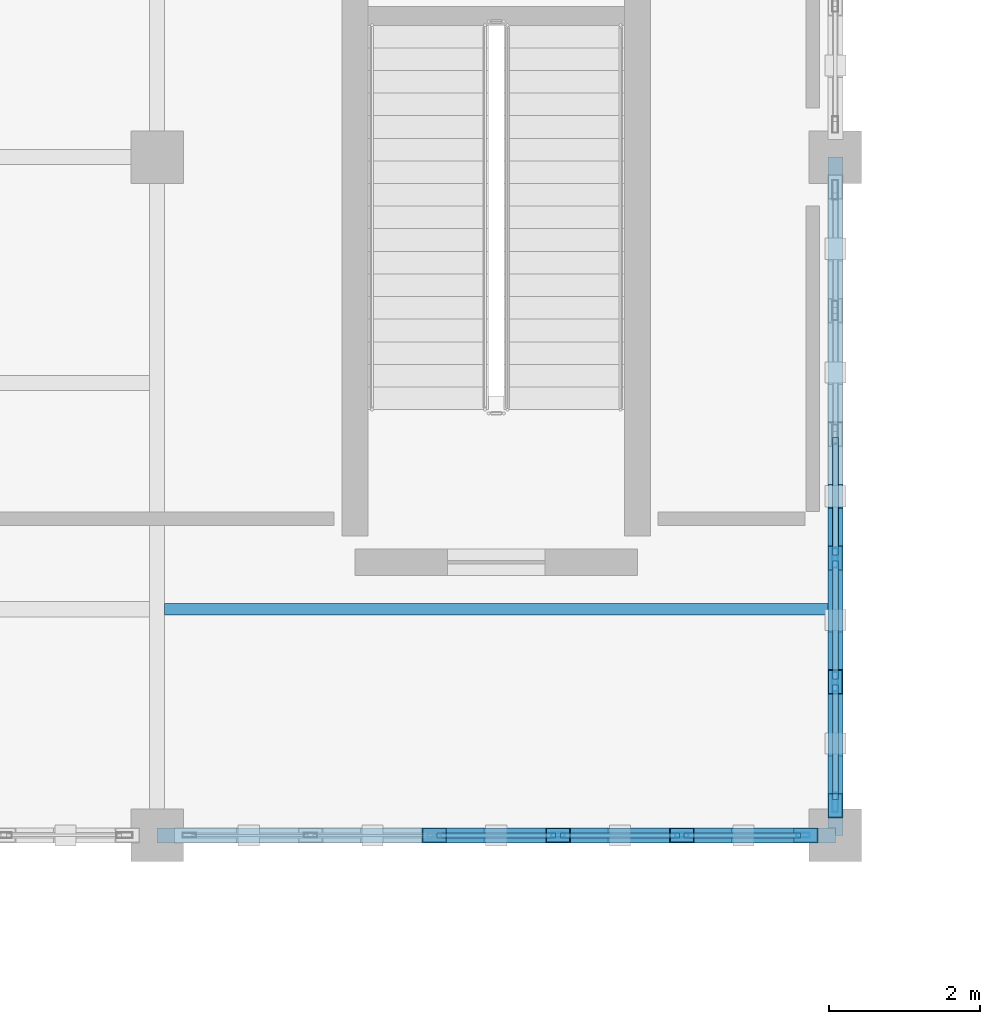
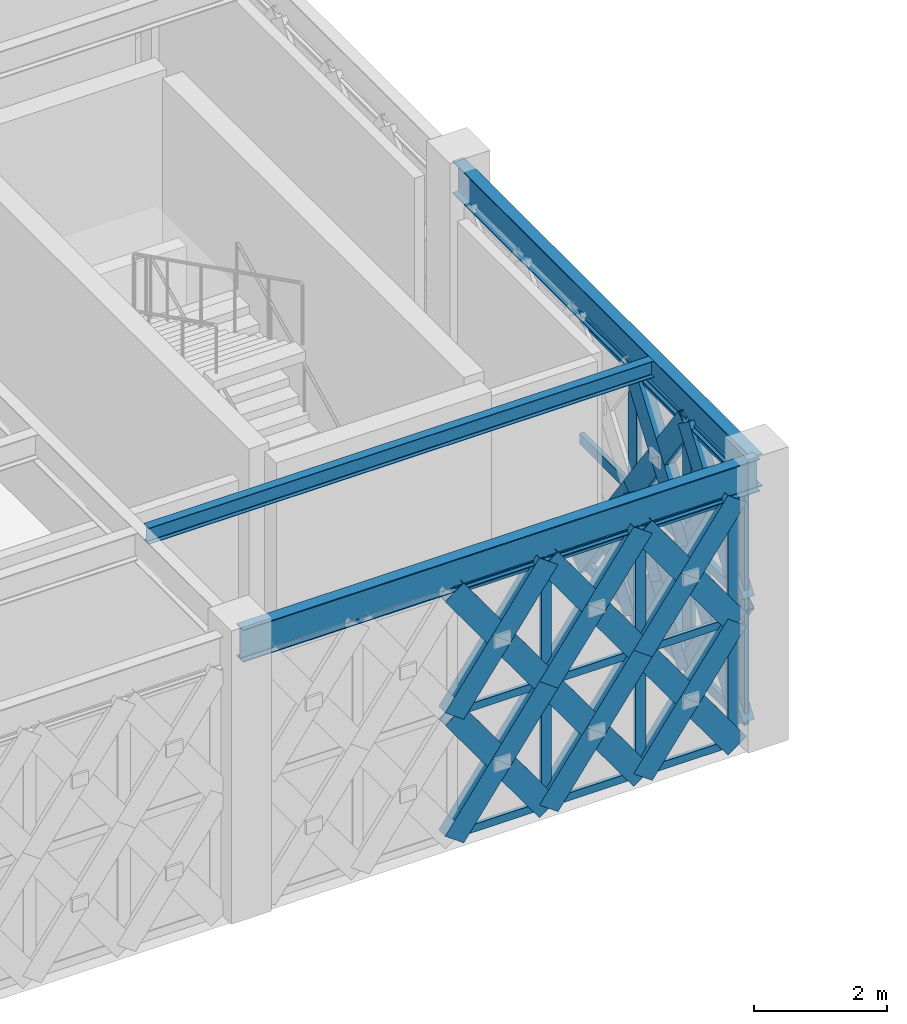
# One storey, part 11 of 72: 56 members, 3 beams, 2 elements without a shape of their own.
"""IFC4 building model written with IfcOpenShell, lengths in metres."""

from ifc_helpers import new_model, si_unit, direction, frame, origin, origin_2d, place, context, subcontext, project, spatial, hollow_rectangle, i_section, extrude, material, material_profile, profile_set, type_object, element, aggregate, save


model = new_model("IFC4")

# Units and contexts
model_context = context("Model", 3, precision=1e-05, world=origin(), true_north=direction((0.0, 1.0)))
body_context = subcontext(model_context, "Body", "Model", "MODEL_VIEW")
ifc_project = project(units=[si_unit("LENGTHUNIT", "METRE"), si_unit("AREAUNIT", "SQUARE_METRE"), si_unit("VOLUMEUNIT", "CUBIC_METRE"), si_unit("PLANEANGLEUNIT", "RADIAN"), si_unit("MASSUNIT", "GRAM", prefix="KILO")], contexts=[model_context])

# Site, building, storey
site_placement = place(None, origin())
site = spatial("IfcSite", under=ifc_project, at=site_placement, CompositionType="ELEMENT")
building_placement = place(site_placement, origin())
building = spatial("IfcBuilding", under=site, at=building_placement, Name="Haizhuo Lancet Aquarium", CompositionType="ELEMENT")
storey_placement = place(building_placement, frame((0.0, 0.0, 21.60009765625)))
storey = spatial("IfcBuildingStorey", under=building, at=storey_placement, Name="L04", CompositionType="ELEMENT", Elevation=21.60009765625)

# Beams
ifc_material_1 = material(Name="Steel S355", Category="steel")
ifc_material_profile_1 = material_profile(ifc_material_1, i_section(OverallWidth=0.199951171875, OverallDepth=0.60009765625, WebThickness=0.010986328125, FlangeThickness=0.01708984375, FilletRadius=0.02197265625, at=origin_2d()), Name="HN 600x200x11x17")
ifc_profile_set_1 = profile_set([ifc_material_profile_1], Name="Steel S355")
beam_type_1 = type_object("IfcBeamType", Name="BM-ST-HN600", PredefinedType="BEAM", material=ifc_profile_set_1)
for number, where, z_axis, x_axis, name in (
    (1, (-45.0, -27.0, 4.849853515625), (1.0, 0.0, 0.0), (0.0, 1.0, 0.0), "L04 V6 primary girder BM-L04-V6-020"),
    (2, (-36.0, -27.0, 4.849853515625), (0.0, 1.0, 0.0), (-1.0, 0.0, 0.0), "L04 V6 primary girder BM-L04-V6-023"),
):
    element("IfcBeam", number, at=place(storey_placement, frame(where, z_axis=z_axis, x_axis=x_axis)), inside=storey, type_object=beam_type_1, Name=name, PredefinedType="BEAM", context=body_context, shape_type="SweptSolid", body=[
        extrude(i_section(OverallWidth=0.199951171875, OverallDepth=0.60009765625, WebThickness=0.010986328125, FlangeThickness=0.01708984375, FilletRadius=0.02197265625, at=origin_2d()), origin(), (0.0, 0.0, 1.0), 9.0),
    ])

# Curtain wall, members
ifc_material_2 = material(Name="Aluminium 6063-T6", Category="aluminium")
curtain_wall_type = type_object("IfcCurtainWallType", Name="CWD-8210x4550", PredefinedType="NOTDEFINED", material=ifc_material_2)
curtain_wall_1_placement = place(storey_placement, origin())
curtain_wall_1 = element("IfcCurtainWall", 3, at=curtain_wall_1_placement, inside=storey, type_object=curtain_wall_type, Name="L04 curtain wall CW-V6-L04-253", PredefinedType="NOTDEFINED")
ifc_material_profile_2 = material_profile(ifc_material_2, hollow_rectangle(XDim=0.06494140625, YDim=0.179931640625, WallThickness=0.00390625, at=origin_2d()), Name="ALU-M 65x180x4")
ifc_profile_set_2 = profile_set([ifc_material_profile_2], Name="Aluminium 6063-T6")
member_type_1 = type_object("IfcMemberType", Name="CW-MUL-1", PredefinedType="MULLION", material=ifc_profile_set_2)
member_1_placement = place(storey_placement, frame((-36.427978515625, -27.0, 0.0), z_axis=(0.0, 0.0, 1.0), x_axis=(0.0, -1.0, 0.0)))
member_1 = element("IfcMember", 4, at=member_1_placement, type_object=member_type_1, Name="CWD-82x45 mullion 1", PredefinedType="MULLION", context=body_context, shape_type="SweptSolid", body=[
    extrude(hollow_rectangle(XDim=0.06494140625, YDim=0.179931640625, WallThickness=0.00390625, at=origin_2d()), origin(), (0.0, 0.0, 1.0), 4.5498046875),
])
member_2_placement = place(storey_placement, frame((-38.037109375, -27.0, 0.0), z_axis=(0.0, 0.0, 1.0), x_axis=(0.0, -1.0, 0.0)))
member_2 = element("IfcMember", 5, at=member_2_placement, type_object=member_type_1, Name="CWD-82x45 mullion 2", PredefinedType="MULLION", context=body_context, shape_type="SweptSolid", body=[
    extrude(hollow_rectangle(XDim=0.06494140625, YDim=0.179931640625, WallThickness=0.00390625, at=origin_2d()), origin(), (0.0, 0.0, 1.0), 4.5498046875),
])
member_3_placement = place(storey_placement, frame((-39.678955078125, -27.0, 0.0), z_axis=(0.0, 0.0, 1.0), x_axis=(0.0, -1.0, 0.0)))
member_3 = element("IfcMember", 6, at=member_3_placement, type_object=member_type_1, Name="CWD-82x45 mullion 3", PredefinedType="MULLION", context=body_context, shape_type="SweptSolid", body=[
    extrude(hollow_rectangle(XDim=0.06494140625, YDim=0.179931640625, WallThickness=0.00390625, at=origin_2d()), origin(), (0.0, 0.0, 1.0), 4.5498046875),
])

curtain_wall_2_placement = place(storey_placement, origin())
curtain_wall_2 = element("IfcCurtainWall", 7, at=curtain_wall_2_placement, inside=storey, type_object=curtain_wall_type, Name="L04 curtain wall CW-V6-L04-252", PredefinedType="NOTDEFINED")
ifc_material_profile_3 = material_profile(ifc_material_2, hollow_rectangle(XDim=0.080078125, YDim=0.260009765625, WallThickness=0.0048828125, at=origin_2d()), Name="ALU-M 80x260x5")
ifc_profile_set_3 = profile_set([ifc_material_profile_3], Name="Aluminium 6063-T6")
member_type_2 = type_object("IfcMemberType", Name="CW-MUL-3", PredefinedType="MULLION", material=ifc_profile_set_3)
member_4_placement = place(storey_placement, frame((-36.0, -23.321044921875, 0.0), z_axis=(0.0, 0.0, 1.0), x_axis=(1.0, 0.0, 0.0)))
member_4 = element("IfcMember", 8, at=member_4_placement, type_object=member_type_2, Name="CWD-82x45 mullion 4", PredefinedType="MULLION", context=body_context, shape_type="SweptSolid", body=[
    extrude(hollow_rectangle(XDim=0.080078125, YDim=0.260009765625, WallThickness=0.0048828125, at=origin_2d()), origin(), (0.0, 0.0, 1.0), 4.5498046875),
])
member_5_placement = place(storey_placement, frame((-36.0, -24.962890625, 0.0), z_axis=(0.0, 0.0, 1.0), x_axis=(1.0, 0.0, 0.0)))
member_5 = element("IfcMember", 9, at=member_5_placement, type_object=member_type_2, Name="CWD-82x45 mullion 5", PredefinedType="MULLION", context=body_context, shape_type="SweptSolid", body=[
    extrude(hollow_rectangle(XDim=0.080078125, YDim=0.260009765625, WallThickness=0.0048828125, at=origin_2d()), origin(), (0.0, 0.0, 1.0), 4.5498046875),
])
member_6_placement = place(storey_placement, frame((-36.0, -26.56494140625, 0.0), z_axis=(0.0, 0.0, 1.0), x_axis=(1.0, 0.0, 0.0)))
member_6 = element("IfcMember", 10, at=member_6_placement, type_object=member_type_2, Name="CWD-82x45 mullion 6", PredefinedType="MULLION", context=body_context, shape_type="SweptSolid", body=[
    extrude(hollow_rectangle(XDim=0.080078125, YDim=0.260009765625, WallThickness=0.0048828125, at=origin_2d()), origin(), (0.0, 0.0, 1.0), 4.5498046875),
])

# Member
ifc_material_profile_4 = material_profile(ifc_material_2, hollow_rectangle(XDim=0.06494140625, YDim=0.139892578125, WallThickness=0.00390625, at=origin_2d()), Name="ALU-T 65x140x4")
ifc_profile_set_4 = profile_set([ifc_material_profile_4], Name="Aluminium 6063-T6")
member_type_3 = type_object("IfcMemberType", Name="CW-TRN-1", PredefinedType="NOTDEFINED", material=ifc_profile_set_4)
member_7_placement = place(storey_placement, frame((-36.4599609375, -27.0, 0.032958984375), z_axis=(-1.0, 0.0, 0.0), x_axis=(0.0, -1.0, 0.0)))
member_7 = element("IfcMember", 11, at=member_7_placement, type_object=member_type_3, Name="CWD-82x45 transom 1.1", ObjectType="TRANSOM", PredefinedType="USERDEFINED", context=body_context, shape_type="SweptSolid", body=[
    extrude(hollow_rectangle(XDim=0.06494140625, YDim=0.139892578125, WallThickness=0.00390625, at=origin_2d()), origin(), (0.0, 0.0, 1.0), 1.544921875),
])

member_8_placement = place(storey_placement, frame((-36.4599609375, -27.0, 2.27490234375), z_axis=(-1.0, 0.0, 0.0), x_axis=(0.0, -1.0, 0.0)))
member_8 = element("IfcMember", 12, at=member_8_placement, type_object=member_type_3, Name="CWD-82x45 transom 1.2", ObjectType="TRANSOM", PredefinedType="USERDEFINED", context=body_context, shape_type="SweptSolid", body=[
    extrude(hollow_rectangle(XDim=0.06494140625, YDim=0.139892578125, WallThickness=0.00390625, at=origin_2d()), origin(), (0.0, 0.0, 1.0), 1.544921875),
])

member_9_placement = place(storey_placement, frame((-36.4599609375, -27.0, 4.516845703125), z_axis=(-1.0, 0.0, 0.0), x_axis=(0.0, -1.0, 0.0)))
member_9 = element("IfcMember", 13, at=member_9_placement, type_object=member_type_3, Name="CWD-82x45 transom 1.3", ObjectType="TRANSOM", PredefinedType="USERDEFINED", context=body_context, shape_type="SweptSolid", body=[
    extrude(hollow_rectangle(XDim=0.06494140625, YDim=0.139892578125, WallThickness=0.00390625, at=origin_2d()), origin(), (0.0, 0.0, 1.0), 1.544921875),
])

member_10_placement = place(storey_placement, frame((-38.070068359375, -27.0, 0.032958984375), z_axis=(-1.0, 0.0, 0.0), x_axis=(0.0, -1.0, 0.0)))
member_10 = element("IfcMember", 14, at=member_10_placement, type_object=member_type_3, Name="CWD-82x45 transom 2.1", ObjectType="TRANSOM", PredefinedType="USERDEFINED", context=body_context, shape_type="SweptSolid", body=[
    extrude(hollow_rectangle(XDim=0.06494140625, YDim=0.139892578125, WallThickness=0.00390625, at=origin_2d()), origin(), (0.0, 0.0, 1.0), 1.576904296875),
])

member_11_placement = place(storey_placement, frame((-38.070068359375, -27.0, 2.27490234375), z_axis=(-1.0, 0.0, 0.0), x_axis=(0.0, -1.0, 0.0)))
member_11 = element("IfcMember", 15, at=member_11_placement, type_object=member_type_3, Name="CWD-82x45 transom 2.2", ObjectType="TRANSOM", PredefinedType="USERDEFINED", context=body_context, shape_type="SweptSolid", body=[
    extrude(hollow_rectangle(XDim=0.06494140625, YDim=0.139892578125, WallThickness=0.00390625, at=origin_2d()), origin(), (0.0, 0.0, 1.0), 1.576904296875),
])

member_12_placement = place(storey_placement, frame((-38.070068359375, -27.0, 4.516845703125), z_axis=(-1.0, 0.0, 0.0), x_axis=(0.0, -1.0, 0.0)))
member_12 = element("IfcMember", 16, at=member_12_placement, type_object=member_type_3, Name="CWD-82x45 transom 2.3", ObjectType="TRANSOM", PredefinedType="USERDEFINED", context=body_context, shape_type="SweptSolid", body=[
    extrude(hollow_rectangle(XDim=0.06494140625, YDim=0.139892578125, WallThickness=0.00390625, at=origin_2d()), origin(), (0.0, 0.0, 1.0), 1.576904296875),
])

member_13_placement = place(storey_placement, frame((-39.7119140625, -27.0, 0.032958984375), z_axis=(-1.0, 0.0, 0.0), x_axis=(0.0, -1.0, 0.0)))
member_13 = element("IfcMember", 17, at=member_13_placement, type_object=member_type_3, Name="CWD-82x45 transom 3.1", ObjectType="TRANSOM", PredefinedType="USERDEFINED", context=body_context, shape_type="SweptSolid", body=[
    extrude(hollow_rectangle(XDim=0.06494140625, YDim=0.139892578125, WallThickness=0.00390625, at=origin_2d()), origin(), (0.0, 0.0, 1.0), 1.576171875),
])

member_14_placement = place(storey_placement, frame((-39.7119140625, -27.0, 2.27490234375), z_axis=(-1.0, 0.0, 0.0), x_axis=(0.0, -1.0, 0.0)))
member_14 = element("IfcMember", 18, at=member_14_placement, type_object=member_type_3, Name="CWD-82x45 transom 3.2", ObjectType="TRANSOM", PredefinedType="USERDEFINED", context=body_context, shape_type="SweptSolid", body=[
    extrude(hollow_rectangle(XDim=0.06494140625, YDim=0.139892578125, WallThickness=0.00390625, at=origin_2d()), origin(), (0.0, 0.0, 1.0), 1.576171875),
])

member_15_placement = place(storey_placement, frame((-39.7119140625, -27.0, 4.516845703125), z_axis=(-1.0, 0.0, 0.0), x_axis=(0.0, -1.0, 0.0)))
member_15 = element("IfcMember", 19, at=member_15_placement, type_object=member_type_3, Name="CWD-82x45 transom 3.3", ObjectType="TRANSOM", PredefinedType="USERDEFINED", context=body_context, shape_type="SweptSolid", body=[
    extrude(hollow_rectangle(XDim=0.06494140625, YDim=0.139892578125, WallThickness=0.00390625, at=origin_2d()), origin(), (0.0, 0.0, 1.0), 1.576171875),
])

aggregate(curtain_wall_1, [member_1, member_2, member_3, member_7, member_8, member_9, member_10, member_11, member_12, member_13, member_14, member_15])

ifc_material_profile_5 = material_profile(ifc_material_2, hollow_rectangle(XDim=0.080078125, YDim=0.18994140625, WallThickness=0.0048828125, at=origin_2d()), Name="ALU-T 80x190x5")
ifc_profile_set_5 = profile_set([ifc_material_profile_5], Name="Aluminium 6063-T6")
member_type_4 = type_object("IfcMemberType", Name="CW-TRN-3", PredefinedType="NOTDEFINED", material=ifc_profile_set_5)
member_16_placement = place(storey_placement, frame((-36.0, -21.718994140625, 0.039794921875), z_axis=(0.0, -1.0, 0.0), x_axis=(1.0, 0.0, 0.0)))
member_16 = element("IfcMember", 20, at=member_16_placement, type_object=member_type_4, Name="CWD-82x45 transom 3.1", ObjectType="TRANSOM", PredefinedType="USERDEFINED", context=body_context, shape_type="SweptSolid", body=[
    extrude(hollow_rectangle(XDim=0.080078125, YDim=0.18994140625, WallThickness=0.0048828125, at=origin_2d()), origin(), (0.0, 0.0, 1.0), 1.56201171875),
])

member_17_placement = place(storey_placement, frame((-36.0, -21.718994140625, 2.27490234375), z_axis=(0.0, -1.0, 0.0), x_axis=(1.0, 0.0, 0.0)))
member_17 = element("IfcMember", 21, at=member_17_placement, type_object=member_type_4, Name="CWD-82x45 transom 3.2", ObjectType="TRANSOM", PredefinedType="USERDEFINED", context=body_context, shape_type="SweptSolid", body=[
    extrude(hollow_rectangle(XDim=0.080078125, YDim=0.18994140625, WallThickness=0.0048828125, at=origin_2d()), origin(), (0.0, 0.0, 1.0), 1.56201171875),
])

member_18_placement = place(storey_placement, frame((-36.0, -21.718994140625, 4.510009765625), z_axis=(0.0, -1.0, 0.0), x_axis=(1.0, 0.0, 0.0)))
member_18 = element("IfcMember", 22, at=member_18_placement, type_object=member_type_4, Name="CWD-82x45 transom 3.3", ObjectType="TRANSOM", PredefinedType="USERDEFINED", context=body_context, shape_type="SweptSolid", body=[
    extrude(hollow_rectangle(XDim=0.080078125, YDim=0.18994140625, WallThickness=0.0048828125, at=origin_2d()), origin(), (0.0, 0.0, 1.0), 1.56201171875),
])

member_19_placement = place(storey_placement, frame((-36.0, -23.361083984375, 0.039794921875), z_axis=(0.0, -1.0, 0.0), x_axis=(1.0, 0.0, 0.0)))
member_19 = element("IfcMember", 23, at=member_19_placement, type_object=member_type_4, Name="CWD-82x45 transom 4.1", ObjectType="TRANSOM", PredefinedType="USERDEFINED", context=body_context, shape_type="SweptSolid", body=[
    extrude(hollow_rectangle(XDim=0.080078125, YDim=0.18994140625, WallThickness=0.0048828125, at=origin_2d()), origin(), (0.0, 0.0, 1.0), 1.56201171875),
])

member_20_placement = place(storey_placement, frame((-36.0, -23.361083984375, 2.27490234375), z_axis=(0.0, -1.0, 0.0), x_axis=(1.0, 0.0, 0.0)))
member_20 = element("IfcMember", 24, at=member_20_placement, type_object=member_type_4, Name="CWD-82x45 transom 4.2", ObjectType="TRANSOM", PredefinedType="USERDEFINED", context=body_context, shape_type="SweptSolid", body=[
    extrude(hollow_rectangle(XDim=0.080078125, YDim=0.18994140625, WallThickness=0.0048828125, at=origin_2d()), origin(), (0.0, 0.0, 1.0), 1.56201171875),
])

member_21_placement = place(storey_placement, frame((-36.0, -23.361083984375, 4.510009765625), z_axis=(0.0, -1.0, 0.0), x_axis=(1.0, 0.0, 0.0)))
member_21 = element("IfcMember", 25, at=member_21_placement, type_object=member_type_4, Name="CWD-82x45 transom 4.3", ObjectType="TRANSOM", PredefinedType="USERDEFINED", context=body_context, shape_type="SweptSolid", body=[
    extrude(hollow_rectangle(XDim=0.080078125, YDim=0.18994140625, WallThickness=0.0048828125, at=origin_2d()), origin(), (0.0, 0.0, 1.0), 1.56201171875),
])

member_22_placement = place(storey_placement, frame((-36.0, -25.0029296875, 0.039794921875), z_axis=(0.0, -1.0, 0.0), x_axis=(1.0, 0.0, 0.0)))
member_22 = element("IfcMember", 26, at=member_22_placement, type_object=member_type_4, Name="CWD-82x45 transom 5.1", ObjectType="TRANSOM", PredefinedType="USERDEFINED", context=body_context, shape_type="SweptSolid", body=[
    extrude(hollow_rectangle(XDim=0.080078125, YDim=0.18994140625, WallThickness=0.0048828125, at=origin_2d()), origin(), (0.0, 0.0, 1.0), 1.52197265625),
])

member_23_placement = place(storey_placement, frame((-36.0, -25.0029296875, 2.27490234375), z_axis=(0.0, -1.0, 0.0), x_axis=(1.0, 0.0, 0.0)))
member_23 = element("IfcMember", 27, at=member_23_placement, type_object=member_type_4, Name="CWD-82x45 transom 5.2", ObjectType="TRANSOM", PredefinedType="USERDEFINED", context=body_context, shape_type="SweptSolid", body=[
    extrude(hollow_rectangle(XDim=0.080078125, YDim=0.18994140625, WallThickness=0.0048828125, at=origin_2d()), origin(), (0.0, 0.0, 1.0), 1.52197265625),
])

member_24_placement = place(storey_placement, frame((-36.0, -25.0029296875, 4.510009765625), z_axis=(0.0, -1.0, 0.0), x_axis=(1.0, 0.0, 0.0)))
member_24 = element("IfcMember", 28, at=member_24_placement, type_object=member_type_4, Name="CWD-82x45 transom 5.3", ObjectType="TRANSOM", PredefinedType="USERDEFINED", context=body_context, shape_type="SweptSolid", body=[
    extrude(hollow_rectangle(XDim=0.080078125, YDim=0.18994140625, WallThickness=0.0048828125, at=origin_2d()), origin(), (0.0, 0.0, 1.0), 1.52197265625),
])

aggregate(curtain_wall_2, [member_4, member_5, member_6, member_16, member_17, member_18, member_19, member_20, member_21, member_22, member_23, member_24])

# Beam
ifc_material_profile_6 = material_profile(ifc_material_1, i_section(OverallWidth=0.14990234375, OverallDepth=0.300048828125, WebThickness=0.006591796875, FlangeThickness=0.009033203125, FilletRadius=0.012939453125, at=origin_2d()), Name="HN 300x150x6.5x9")
ifc_profile_set_6 = profile_set([ifc_material_profile_6], Name="Steel S355")
beam_type_2 = type_object("IfcBeamType", Name="JST-ST-HN300", PredefinedType="JOIST", material=ifc_profile_set_6)
beam_placement = place(storey_placement, frame((-44.89990234375, -24.0, 5.0), z_axis=(1.0, 0.0, 0.0), x_axis=(0.0, 1.0, 0.0)))
element("IfcBeam", 29, at=beam_placement, inside=storey, type_object=beam_type_2, Name="L04 V6 secondary floor joist 14", PredefinedType="JOIST", context=body_context, shape_type="SweptSolid", body=[
    extrude(i_section(OverallWidth=0.14990234375, OverallDepth=0.300048828125, WebThickness=0.006591796875, FlangeThickness=0.009033203125, FilletRadius=0.012939453125, at=origin_2d()), origin(), (0.0, 0.0, 1.0), 8.7998046875),
])

# Members
ifc_material_profile_7 = material_profile(ifc_material_1, hollow_rectangle(XDim=0.199951171875, YDim=0.39990234375, WallThickness=0.011962890625, at=origin_2d()), Name="RHS 200x400x12")
ifc_profile_set_7 = profile_set([ifc_material_profile_7], Name="Steel S355")
member_type_5 = type_object("IfcMemberType", Name="MEM-LB-RHS200x400", PredefinedType="BRACE", material=ifc_profile_set_7)
member_25_placement = place(storey_placement, frame((-36.0, -21.678955078125, 0.0), z_axis=(0.0, -0.585280844621, 0.810830643797), x_axis=(1.0, 0.0, 0.0)))
element("IfcMember", 30, at=member_25_placement, inside=storey, type_object=member_type_5, Name="Gothic lancet continuous diagonal brace CW-V6-L04-252 5A", PredefinedType="BRACE", context=body_context, shape_type="SweptSolid", body=[
    extrude(hollow_rectangle(XDim=0.199951171875, YDim=0.39990234375, WallThickness=0.011962890625, at=origin_2d()), origin(), (0.0, 0.0, 1.0), 2.8056640625),
])
member_26_placement = place(storey_placement, frame((-36.0, -23.321044921875, 0.0), z_axis=(0.0, 0.585115697402, 0.810949826224), x_axis=(-1.0, 0.0, 0.0)))
element("IfcMember", 31, at=member_26_placement, inside=storey, type_object=member_type_5, Name="Gothic lancet split diagonal brace CW-V6-L04-252 5B1", PredefinedType="BRACE", context=body_context, shape_type="SweptSolid", body=[
    extrude(hollow_rectangle(XDim=0.199951171875, YDim=0.39990234375, WallThickness=0.011962890625, at=origin_2d()), origin(), (0.0, 0.0, 1.0), 1.4033203125),
])
member_27_placement = place(storey_placement, frame((-36.0, -23.321044921875, 0.0), z_axis=(0.0, -0.585223630803, 0.810871939304), x_axis=(1.0, 0.0, 0.0)))
element("IfcMember", 32, at=member_27_placement, inside=storey, type_object=member_type_5, Name="Gothic lancet continuous diagonal brace CW-V6-L04-252 7A", PredefinedType="BRACE", context=body_context, shape_type="SweptSolid", body=[
    extrude(hollow_rectangle(XDim=0.199951171875, YDim=0.39990234375, WallThickness=0.011962890625, at=origin_2d()), origin(), (0.0, 0.0, 1.0), 2.805419921875),
])
member_28_placement = place(storey_placement, frame((-36.0, -24.962890625, 0.0), z_axis=(0.0, 0.585001259689, 0.81103238293), x_axis=(-1.0, 0.0, 0.0)))
element("IfcMember", 33, at=member_28_placement, inside=storey, type_object=member_type_5, Name="Gothic lancet split diagonal brace CW-V6-L04-252 7B1", PredefinedType="BRACE", context=body_context, shape_type="SweptSolid", body=[
    extrude(hollow_rectangle(XDim=0.199951171875, YDim=0.39990234375, WallThickness=0.011962890625, at=origin_2d()), origin(), (0.0, 0.0, 1.0), 1.403076171875),
])
member_29_placement = place(storey_placement, frame((-36.0, -24.14208984375, 1.137939453125), z_axis=(0.0, 0.585446060787, 0.810711360417), x_axis=(-1.0, 0.0, 0.0)))
element("IfcMember", 34, at=member_29_placement, inside=storey, type_object=member_type_5, Name="Gothic lancet split diagonal brace CW-V6-L04-252 7B2", PredefinedType="BRACE", context=body_context, shape_type="SweptSolid", body=[
    extrude(hollow_rectangle(XDim=0.199951171875, YDim=0.39990234375, WallThickness=0.011962890625, at=origin_2d()), origin(), (0.0, 0.0, 1.0), 1.40234375),
])
member_30_placement = place(storey_placement, frame((-36.0, -23.321044921875, 2.27490234375), z_axis=(0.0, -0.585223630803, 0.810871939304), x_axis=(1.0, 0.0, 0.0)))
element("IfcMember", 35, at=member_30_placement, inside=storey, type_object=member_type_5, Name="Gothic lancet continuous diagonal brace CW-V6-L04-252 8A", PredefinedType="BRACE", context=body_context, shape_type="SweptSolid", body=[
    extrude(hollow_rectangle(XDim=0.199951171875, YDim=0.39990234375, WallThickness=0.011962890625, at=origin_2d()), origin(), (0.0, 0.0, 1.0), 2.805419921875),
])
member_31_placement = place(storey_placement, frame((-36.0, -24.962890625, 2.27490234375), z_axis=(0.0, 0.585331625772, 0.810793986085), x_axis=(-1.0, 0.0, 0.0)))
element("IfcMember", 36, at=member_31_placement, inside=storey, type_object=member_type_5, Name="Gothic lancet split diagonal brace CW-V6-L04-252 8B1", PredefinedType="BRACE", context=body_context, shape_type="SweptSolid", body=[
    extrude(hollow_rectangle(XDim=0.199951171875, YDim=0.39990234375, WallThickness=0.011962890625, at=origin_2d()), origin(), (0.0, 0.0, 1.0), 1.40234375),
])
member_32_placement = place(storey_placement, frame((-36.0, -24.14208984375, 3.411865234375), z_axis=(0.0, 0.585115697402, 0.810949826224), x_axis=(-1.0, 0.0, 0.0)))
element("IfcMember", 37, at=member_32_placement, inside=storey, type_object=member_type_5, Name="Gothic lancet split diagonal brace CW-V6-L04-252 8B2", PredefinedType="BRACE", context=body_context, shape_type="SweptSolid", body=[
    extrude(hollow_rectangle(XDim=0.199951171875, YDim=0.39990234375, WallThickness=0.011962890625, at=origin_2d()), origin(), (0.0, 0.0, 1.0), 1.4033203125),
])
member_33_placement = place(storey_placement, frame((-36.0, -24.962890625, 0.0), z_axis=(0.0, -0.585280844621, 0.810830643797), x_axis=(1.0, 0.0, 0.0)))
element("IfcMember", 38, at=member_33_placement, inside=storey, type_object=member_type_5, Name="Gothic lancet continuous diagonal brace CW-V6-L04-252 9A", PredefinedType="BRACE", context=body_context, shape_type="SweptSolid", body=[
    extrude(hollow_rectangle(XDim=0.199951171875, YDim=0.39990234375, WallThickness=0.011962890625, at=origin_2d()), origin(), (0.0, 0.0, 1.0), 2.8056640625),
])
member_34_placement = place(storey_placement, frame((-36.0, -26.60498046875, 0.0), z_axis=(0.0, 0.585115697402, 0.810949826224), x_axis=(-1.0, 0.0, 0.0)))
element("IfcMember", 39, at=member_34_placement, inside=storey, type_object=member_type_5, Name="Gothic lancet split diagonal brace CW-V6-L04-252 9B1", PredefinedType="BRACE", context=body_context, shape_type="SweptSolid", body=[
    extrude(hollow_rectangle(XDim=0.199951171875, YDim=0.39990234375, WallThickness=0.011962890625, at=origin_2d()), origin(), (0.0, 0.0, 1.0), 1.4033203125),
])
member_35_placement = place(storey_placement, frame((-36.0, -25.783935546875, 1.137939453125), z_axis=(0.0, 0.585446060787, 0.810711360417), x_axis=(-1.0, 0.0, 0.0)))
element("IfcMember", 40, at=member_35_placement, inside=storey, type_object=member_type_5, Name="Gothic lancet split diagonal brace CW-V6-L04-252 9B2", PredefinedType="BRACE", context=body_context, shape_type="SweptSolid", body=[
    extrude(hollow_rectangle(XDim=0.199951171875, YDim=0.39990234375, WallThickness=0.011962890625, at=origin_2d()), origin(), (0.0, 0.0, 1.0), 1.40234375),
])
member_36_placement = place(storey_placement, frame((-36.0, -24.962890625, 2.27490234375), z_axis=(0.0, -0.585280844621, 0.810830643797), x_axis=(1.0, 0.0, 0.0)))
element("IfcMember", 41, at=member_36_placement, inside=storey, type_object=member_type_5, Name="Gothic lancet continuous diagonal brace CW-V6-L04-252 10A", PredefinedType="BRACE", context=body_context, shape_type="SweptSolid", body=[
    extrude(hollow_rectangle(XDim=0.199951171875, YDim=0.39990234375, WallThickness=0.011962890625, at=origin_2d()), origin(), (0.0, 0.0, 1.0), 2.8056640625),
])
member_37_placement = place(storey_placement, frame((-36.0, -26.60498046875, 2.27490234375), z_axis=(0.0, 0.585446060787, 0.810711360417), x_axis=(-1.0, 0.0, 0.0)))
element("IfcMember", 42, at=member_37_placement, inside=storey, type_object=member_type_5, Name="Gothic lancet split diagonal brace CW-V6-L04-252 10B1", PredefinedType="BRACE", context=body_context, shape_type="SweptSolid", body=[
    extrude(hollow_rectangle(XDim=0.199951171875, YDim=0.39990234375, WallThickness=0.011962890625, at=origin_2d()), origin(), (0.0, 0.0, 1.0), 1.40234375),
])
member_38_placement = place(storey_placement, frame((-36.0, -25.783935546875, 3.411865234375), z_axis=(0.0, 0.585115697402, 0.810949826224), x_axis=(-1.0, 0.0, 0.0)))
element("IfcMember", 43, at=member_38_placement, inside=storey, type_object=member_type_5, Name="Gothic lancet split diagonal brace CW-V6-L04-252 10B2", PredefinedType="BRACE", context=body_context, shape_type="SweptSolid", body=[
    extrude(hollow_rectangle(XDim=0.199951171875, YDim=0.39990234375, WallThickness=0.011962890625, at=origin_2d()), origin(), (0.0, 0.0, 1.0), 1.4033203125),
])
member_39_placement = place(storey_placement, frame((-36.39501953125, -27.0, 0.0), z_axis=(-0.585280844621, 0.0, 0.810830643797), x_axis=(0.0, -1.0, 0.0)))
element("IfcMember", 44, at=member_39_placement, inside=storey, type_object=member_type_5, Name="Gothic lancet continuous diagonal brace CW-V6-L04-253 1A", PredefinedType="BRACE", context=body_context, shape_type="SweptSolid", body=[
    extrude(hollow_rectangle(XDim=0.199951171875, YDim=0.39990234375, WallThickness=0.011962890625, at=origin_2d()), origin(), (0.0, 0.0, 1.0), 2.8056640625),
])
member_40_placement = place(storey_placement, frame((-38.037109375, -27.0, 0.0), z_axis=(0.585115697402, 0.0, 0.810949826224), x_axis=(0.0, 1.0, 0.0)))
element("IfcMember", 45, at=member_40_placement, inside=storey, type_object=member_type_5, Name="Gothic lancet split diagonal brace CW-V6-L04-253 1B1", PredefinedType="BRACE", context=body_context, shape_type="SweptSolid", body=[
    extrude(hollow_rectangle(XDim=0.199951171875, YDim=0.39990234375, WallThickness=0.011962890625, at=origin_2d()), origin(), (0.0, 0.0, 1.0), 1.4033203125),
])
member_41_placement = place(storey_placement, frame((-37.216064453125, -27.0, 1.137939453125), z_axis=(0.585446060787, 0.0, 0.810711360417), x_axis=(0.0, 1.0, 0.0)))
element("IfcMember", 46, at=member_41_placement, inside=storey, type_object=member_type_5, Name="Gothic lancet split diagonal brace CW-V6-L04-253 1B2", PredefinedType="BRACE", context=body_context, shape_type="SweptSolid", body=[
    extrude(hollow_rectangle(XDim=0.199951171875, YDim=0.39990234375, WallThickness=0.011962890625, at=origin_2d()), origin(), (0.0, 0.0, 1.0), 1.40234375),
])
member_42_placement = place(storey_placement, frame((-36.39501953125, -27.0, 2.27490234375), z_axis=(-0.585280844621, 0.0, 0.810830643797), x_axis=(0.0, -1.0, 0.0)))
element("IfcMember", 47, at=member_42_placement, inside=storey, type_object=member_type_5, Name="Gothic lancet continuous diagonal brace CW-V6-L04-253 2A", PredefinedType="BRACE", context=body_context, shape_type="SweptSolid", body=[
    extrude(hollow_rectangle(XDim=0.199951171875, YDim=0.39990234375, WallThickness=0.011962890625, at=origin_2d()), origin(), (0.0, 0.0, 1.0), 2.8056640625),
])
member_43_placement = place(storey_placement, frame((-38.037109375, -27.0, 2.27490234375), z_axis=(0.585446060787, 0.0, 0.810711360417), x_axis=(0.0, 1.0, 0.0)))
element("IfcMember", 48, at=member_43_placement, inside=storey, type_object=member_type_5, Name="Gothic lancet split diagonal brace CW-V6-L04-253 2B1", PredefinedType="BRACE", context=body_context, shape_type="SweptSolid", body=[
    extrude(hollow_rectangle(XDim=0.199951171875, YDim=0.39990234375, WallThickness=0.011962890625, at=origin_2d()), origin(), (0.0, 0.0, 1.0), 1.40234375),
])
member_44_placement = place(storey_placement, frame((-37.216064453125, -27.0, 3.411865234375), z_axis=(0.585115697402, 0.0, 0.810949826224), x_axis=(0.0, 1.0, 0.0)))
element("IfcMember", 49, at=member_44_placement, inside=storey, type_object=member_type_5, Name="Gothic lancet split diagonal brace CW-V6-L04-253 2B2", PredefinedType="BRACE", context=body_context, shape_type="SweptSolid", body=[
    extrude(hollow_rectangle(XDim=0.199951171875, YDim=0.39990234375, WallThickness=0.011962890625, at=origin_2d()), origin(), (0.0, 0.0, 1.0), 1.4033203125),
])
member_45_placement = place(storey_placement, frame((-38.037109375, -27.0, 0.0), z_axis=(-0.585223630803, 0.0, 0.810871939304), x_axis=(0.0, -1.0, 0.0)))
element("IfcMember", 50, at=member_45_placement, inside=storey, type_object=member_type_5, Name="Gothic lancet continuous diagonal brace CW-V6-L04-253 3A", PredefinedType="BRACE", context=body_context, shape_type="SweptSolid", body=[
    extrude(hollow_rectangle(XDim=0.199951171875, YDim=0.39990234375, WallThickness=0.011962890625, at=origin_2d()), origin(), (0.0, 0.0, 1.0), 2.805419921875),
])
member_46_placement = place(storey_placement, frame((-39.678955078125, -27.0, 0.0), z_axis=(0.585115697402, 0.0, 0.810949826224), x_axis=(0.0, 1.0, 0.0)))
element("IfcMember", 51, at=member_46_placement, inside=storey, type_object=member_type_5, Name="Gothic lancet split diagonal brace CW-V6-L04-253 3B1", PredefinedType="BRACE", context=body_context, shape_type="SweptSolid", body=[
    extrude(hollow_rectangle(XDim=0.199951171875, YDim=0.39990234375, WallThickness=0.011962890625, at=origin_2d()), origin(), (0.0, 0.0, 1.0), 1.4033203125),
])
member_47_placement = place(storey_placement, frame((-38.85791015625, -27.0, 1.137939453125), z_axis=(0.585331625772, 0.0, 0.810793986085), x_axis=(0.0, 1.0, 0.0)))
element("IfcMember", 52, at=member_47_placement, inside=storey, type_object=member_type_5, Name="Gothic lancet split diagonal brace CW-V6-L04-253 3B2", PredefinedType="BRACE", context=body_context, shape_type="SweptSolid", body=[
    extrude(hollow_rectangle(XDim=0.199951171875, YDim=0.39990234375, WallThickness=0.011962890625, at=origin_2d()), origin(), (0.0, 0.0, 1.0), 1.40234375),
])
member_48_placement = place(storey_placement, frame((-38.037109375, -27.0, 2.27490234375), z_axis=(-0.585223630803, 0.0, 0.810871939304), x_axis=(0.0, -1.0, 0.0)))
element("IfcMember", 53, at=member_48_placement, inside=storey, type_object=member_type_5, Name="Gothic lancet continuous diagonal brace CW-V6-L04-253 4A", PredefinedType="BRACE", context=body_context, shape_type="SweptSolid", body=[
    extrude(hollow_rectangle(XDim=0.199951171875, YDim=0.39990234375, WallThickness=0.011962890625, at=origin_2d()), origin(), (0.0, 0.0, 1.0), 2.805419921875),
])
member_49_placement = place(storey_placement, frame((-39.678955078125, -27.0, 2.27490234375), z_axis=(0.585446060787, 0.0, 0.810711360417), x_axis=(0.0, 1.0, 0.0)))
element("IfcMember", 54, at=member_49_placement, inside=storey, type_object=member_type_5, Name="Gothic lancet split diagonal brace CW-V6-L04-253 4B1", PredefinedType="BRACE", context=body_context, shape_type="SweptSolid", body=[
    extrude(hollow_rectangle(XDim=0.199951171875, YDim=0.39990234375, WallThickness=0.011962890625, at=origin_2d()), origin(), (0.0, 0.0, 1.0), 1.40234375),
])
member_50_placement = place(storey_placement, frame((-38.85791015625, -27.0, 3.411865234375), z_axis=(0.585001259689, 0.0, 0.81103238293), x_axis=(0.0, 1.0, 0.0)))
element("IfcMember", 55, at=member_50_placement, inside=storey, type_object=member_type_5, Name="Gothic lancet split diagonal brace CW-V6-L04-253 4B2", PredefinedType="BRACE", context=body_context, shape_type="SweptSolid", body=[
    extrude(hollow_rectangle(XDim=0.199951171875, YDim=0.39990234375, WallThickness=0.011962890625, at=origin_2d()), origin(), (0.0, 0.0, 1.0), 1.403076171875),
])
member_51_placement = place(storey_placement, frame((-39.678955078125, -27.0, 0.0), z_axis=(-0.585280844621, 0.0, 0.810830643797), x_axis=(0.0, -1.0, 0.0)))
element("IfcMember", 56, at=member_51_placement, inside=storey, type_object=member_type_5, Name="Gothic lancet continuous diagonal brace CW-V6-L04-253 5A", PredefinedType="BRACE", context=body_context, shape_type="SweptSolid", body=[
    extrude(hollow_rectangle(XDim=0.199951171875, YDim=0.39990234375, WallThickness=0.011962890625, at=origin_2d()), origin(), (0.0, 0.0, 1.0), 2.8056640625),
])
member_52_placement = place(storey_placement, frame((-41.321044921875, -27.0, 0.0), z_axis=(0.585115697402, 0.0, 0.810949826224), x_axis=(0.0, 1.0, 0.0)))
element("IfcMember", 57, at=member_52_placement, inside=storey, type_object=member_type_5, Name="Gothic lancet split diagonal brace CW-V6-L04-253 5B1", PredefinedType="BRACE", context=body_context, shape_type="SweptSolid", body=[
    extrude(hollow_rectangle(XDim=0.199951171875, YDim=0.39990234375, WallThickness=0.011962890625, at=origin_2d()), origin(), (0.0, 0.0, 1.0), 1.4033203125),
])
member_53_placement = place(storey_placement, frame((-40.5, -27.0, 1.137939453125), z_axis=(0.585446060787, 0.0, 0.810711360417), x_axis=(0.0, 1.0, 0.0)))
element("IfcMember", 58, at=member_53_placement, inside=storey, type_object=member_type_5, Name="Gothic lancet split diagonal brace CW-V6-L04-253 5B2", PredefinedType="BRACE", context=body_context, shape_type="SweptSolid", body=[
    extrude(hollow_rectangle(XDim=0.199951171875, YDim=0.39990234375, WallThickness=0.011962890625, at=origin_2d()), origin(), (0.0, 0.0, 1.0), 1.40234375),
])
member_54_placement = place(storey_placement, frame((-39.678955078125, -27.0, 2.27490234375), z_axis=(-0.585280844621, 0.0, 0.810830643797), x_axis=(0.0, -1.0, 0.0)))
element("IfcMember", 59, at=member_54_placement, inside=storey, type_object=member_type_5, Name="Gothic lancet continuous diagonal brace CW-V6-L04-253 6A", PredefinedType="BRACE", context=body_context, shape_type="SweptSolid", body=[
    extrude(hollow_rectangle(XDim=0.199951171875, YDim=0.39990234375, WallThickness=0.011962890625, at=origin_2d()), origin(), (0.0, 0.0, 1.0), 2.8056640625),
])
member_55_placement = place(storey_placement, frame((-41.321044921875, -27.0, 2.27490234375), z_axis=(0.585446060787, 0.0, 0.810711360417), x_axis=(0.0, 1.0, 0.0)))
element("IfcMember", 60, at=member_55_placement, inside=storey, type_object=member_type_5, Name="Gothic lancet split diagonal brace CW-V6-L04-253 6B1", PredefinedType="BRACE", context=body_context, shape_type="SweptSolid", body=[
    extrude(hollow_rectangle(XDim=0.199951171875, YDim=0.39990234375, WallThickness=0.011962890625, at=origin_2d()), origin(), (0.0, 0.0, 1.0), 1.40234375),
])
member_56_placement = place(storey_placement, frame((-40.5, -27.0, 3.411865234375), z_axis=(0.585115697402, 0.0, 0.810949826224), x_axis=(0.0, 1.0, 0.0)))
element("IfcMember", 61, at=member_56_placement, inside=storey, type_object=member_type_5, Name="Gothic lancet split diagonal brace CW-V6-L04-253 6B2", PredefinedType="BRACE", context=body_context, shape_type="SweptSolid", body=[
    extrude(hollow_rectangle(XDim=0.199951171875, YDim=0.39990234375, WallThickness=0.011962890625, at=origin_2d()), origin(), (0.0, 0.0, 1.0), 1.4033203125),
])

save(model, "model.ifc")
